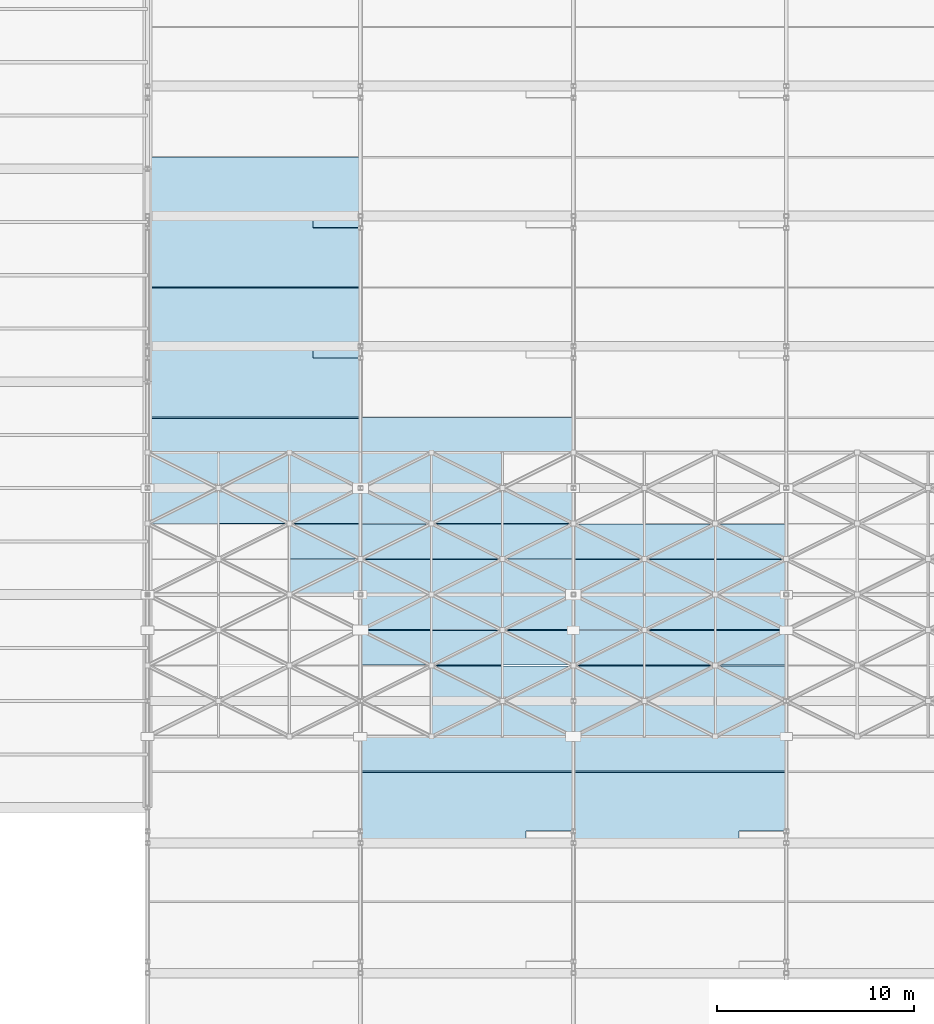
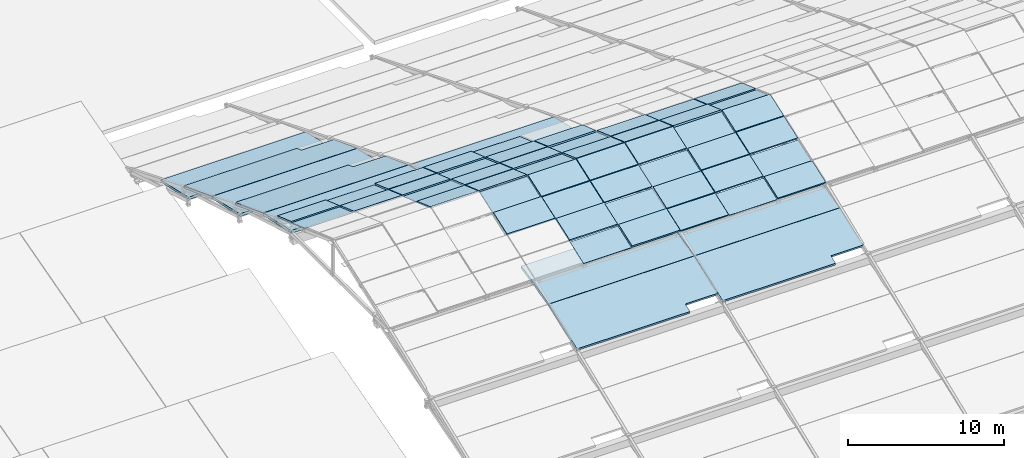
# One storey, part 98 of 112: 47 plates, 10 slabs, 3 elements without a shape of their own.
"""IFC4 building model written with IfcOpenShell, lengths in metres."""

from ifc_helpers import new_model, si_unit, direction, frame, origin, place, context, subcontext, project, spatial, polyline, outline, extrude, material, layer, layer_set, type_object, element, aggregate, save


model = new_model("IFC4")

# Units and contexts
model_context = context("Model", 3, precision=1e-05, world=origin(), true_north=direction((0.0, 1.0)))
body_context = subcontext(model_context, "Body", "Model", "MODEL_VIEW")
ifc_project = project(units=[si_unit("LENGTHUNIT", "METRE"), si_unit("AREAUNIT", "SQUARE_METRE"), si_unit("VOLUMEUNIT", "CUBIC_METRE"), si_unit("PLANEANGLEUNIT", "RADIAN"), si_unit("MASSUNIT", "GRAM", prefix="KILO")], contexts=[model_context])

# Site, building, storey
site_placement = place(None, origin())
site = spatial("IfcSite", under=ifc_project, at=site_placement, CompositionType="ELEMENT")
building_placement = place(site_placement, origin())
building = spatial("IfcBuilding", under=site, at=building_placement, Name="Zwinboog Wholesale Market", CompositionType="ELEMENT")
storey_placement = place(building_placement, frame((0.0, 0.0, 19.080078125)))
storey = spatial("IfcBuildingStorey", under=building, at=storey_placement, Name="Roof", CompositionType="ELEMENT", Elevation=19.080078125)

# Roof, slabs
ifc_material_1 = material(Name="Concrete C50/60", Category="concrete")
roof_type = type_object("IfcRoofType", Name="RFT-SHELL-BARREL", PredefinedType="BARREL_ROOF", material=ifc_material_1)
roof_1_placement = place(storey_placement, origin())
roof_1 = element("IfcRoof", 1, at=roof_1_placement, inside=storey, type_object=roof_type, Name="RF-SH (ROOF-BARREL-01)", PredefinedType="BARREL_ROOF")
ifc_layer_1 = layer(ifc_material_1, 0.172119140625)
ifc_layer_set_1 = layer_set([ifc_layer_1], Name="Concrete C50/60")
slab_type_1 = type_object("IfcSlabType", Name="SLT-SH-172", PredefinedType="ROOF", material=ifc_layer_set_1)
slab_1_placement = place(storey_placement, frame((64.81005859375, 94.2099609375, -4.630126953125), z_axis=(0.0, 0.219360206869, 0.975643941017), x_axis=(1.0, 0.0, 0.0)))
slab_1 = element("IfcSlab", 2, at=slab_1_placement, type_object=slab_type_1, Name="SH-172 (SLB-SH-NT2-B01-2)", PredefinedType="ROOF", context=body_context, shape_type="SweptSolid", body=[
    extrude(outline(polyline([(0.0, 0.0), (10.780029296875, 0.0), (10.780029296875, 3.669451502225199), (0.0, 3.669451502225199), (0.0, 0.0)])), origin(), (0.0, 0.0, -1.0), 0.172119140625),
])
ifc_layer_2 = layer(ifc_material_1, 0.18603515625)
ifc_layer_set_2 = layer_set([ifc_layer_2], Name="Concrete C50/60")
slab_type_2 = type_object("IfcSlabType", Name="SLT-SH-186", PredefinedType="ROOF", material=ifc_layer_set_2)
slab_2_placement = place(storey_placement, frame((64.81005859375, 91.2099609375, -2.735107421875), z_axis=(4.693168e-06, 0.35168856816, 0.936117060524), x_axis=(0.999999999989, -1.650534e-06, -4.393355e-06)))
slab_2 = element("IfcSlab", 3, at=slab_2_placement, type_object=slab_type_2, Name="SH-186 (SLB-SH-NT3-B01-1)", PredefinedType="ROOF", context=body_context, shape_type="SweptSolid", body=[
    extrude(outline(polyline([(0.0, 0.0), (10.78002929675628, 2.2827599967049336e-21), (10.780029297125427, 3.1833712437689723), (8.37988281277686, 3.1833712437689723), (8.379882812301984, 3.8243830316615175), (-1.0573042088097136e-10, 3.8243830316615175), (0.0, 0.0)])), origin(), (0.0, 0.0, -1.0), 0.18603515625),
])
slab_3_placement = place(storey_placement, frame((64.81005859375, 87.610107421875, -1.93017578125), z_axis=(0.0, 0.219374447053, 0.975640739197), x_axis=(1.0, 0.0, 0.0)))
slab_3 = element("IfcSlab", 4, at=slab_3_placement, type_object=slab_type_2, Name="SH-186 (SLB-SH-NT3-B01-2)", PredefinedType="ROOF", context=body_context, shape_type="SweptSolid", body=[
    extrude(outline(polyline([(0.0, 0.0), (10.780029296875, 0.0), (10.780029296875, 3.6692133082944967), (0.0, 3.6692133082944967), (0.0, 0.0)])), origin(), (0.0, 0.0, -1.0), 0.18603515625),
])
ifc_layer_3 = layer(ifc_material_1, 0.201904296875)
ifc_layer_set_3 = layer_set([ifc_layer_3], Name="Concrete C50/60")
slab_type_3 = type_object("IfcSlabType", Name="SLT-SH-202", PredefinedType="ROOF", material=ifc_layer_set_3)
slab_4_placement = place(storey_placement, frame((64.81005859375, 84.610107421875, -0.03515625), z_axis=(1.249569e-06, 0.351705539728, 0.936110684334), x_axis=(0.999999999999, -4.3948e-07, -1.169735e-06)))
slab_4 = element("IfcSlab", 5, at=slab_4_placement, type_object=slab_type_3, Name="SH-202 (SLB-SH-NT4-B01-1)", PredefinedType="ROOF", context=body_context, shape_type="SweptSolid", body=[
    extrude(outline(polyline([(0.0, 0.0), (10.780029296866584, 0.0), (10.780029296892753, 3.183371244671827), (8.379882812519627, 3.183371244671827), (8.379882812485961, 3.824154487977018), (-7.495290763518035e-12, 3.824154487977018), (0.0, 0.0)])), origin(), (0.0, 0.0, -1.0), 0.201904296875),
])
slab_5_placement = place(storey_placement, frame((64.81005859375, 81.010009765625, 0.77001953125), z_axis=(0.0, 0.219423537249, 0.975629699887), x_axis=(1.0, 0.0, 0.0)))
slab_5 = element("IfcSlab", 6, at=slab_5_placement, type_object=slab_type_3, Name="SH-202 (SLB-SH-NT4-B01-2)", PredefinedType="ROOF", context=body_context, shape_type="SweptSolid", body=[
    extrude(outline(polyline([(0.0, 0.0), (10.780029296875, 0.0), (10.780029296875, 3.66950506469402), (0.0, 3.66950506469402), (0.0, 0.0)])), origin(), (0.0, 0.0, -1.0), 0.201904296875),
])
aggregate(roof_1, [slab_1, slab_2, slab_3, slab_4, slab_5])

roof_2_placement = place(storey_placement, origin())
roof_2 = element("IfcRoof", 7, at=roof_2_placement, inside=storey, type_object=roof_type, Name="RF-SH (ROOF-BARREL-02)", PredefinedType="BARREL_ROOF")
slab_6_placement = place(storey_placement, frame((75.610107421875, 63.010009765625, -1.380126953125), z_axis=(4.69326e-06, -0.351688567707, 0.936117060694), x_axis=(0.999999999989, 1.650566e-06, -4.393441e-06)))
slab_6 = element("IfcSlab", 8, at=slab_6_placement, type_object=slab_type_3, Name="SH-202 (SLB-SH-ST4-B02-1)", PredefinedType="ROOF", context=body_context, shape_type="SweptSolid", body=[
    extrude(outline(polyline([(0.0, 0.0), (8.37988281240771, 0.0), (8.379882812882595, 0.6410117878925938), (10.779785156606165, 0.6410117878925938), (10.779785156237002, 3.824383031661528), (1.0572380666834866e-10, 3.824383031661528), (0.0, 0.0)])), origin(), (0.0, 0.0, -1.0), 0.201904296875),
])
slab_7_placement = place(storey_placement, frame((75.610107421875, 66.610107421875, -0.03515625), z_axis=(0.0, -0.219437781128, 0.975626496265), x_axis=(1.0, 0.0, 0.0)))
slab_7 = element("IfcSlab", 9, at=slab_7_placement, type_object=slab_type_3, Name="SH-202 (SLB-SH-ST4-B02-2)", PredefinedType="ROOF", context=body_context, shape_type="SweptSolid", body=[
    extrude(outline(polyline([(0.0, 0.0), (10.77978515625, 0.0), (10.77978515625, 3.669266874240375), (0.0, 3.669266874240375), (0.0, 0.0)])), origin(), (0.0, 0.0, -1.0), 0.201904296875),
])
slab_8_placement = place(storey_placement, frame((75.610107421875, 81.010009765625, 0.77001953125), z_axis=(0.0, 0.219423537249, 0.975629699887), x_axis=(1.0, 0.0, 0.0)))
slab_8 = element("IfcSlab", 10, at=slab_8_placement, type_object=slab_type_3, Name="SH-202 (SLB-SH-NT4-B02-2)", PredefinedType="ROOF", context=body_context, shape_type="SweptSolid", body=[
    extrude(outline(polyline([(0.0, 0.0), (10.77978515625, 0.0), (10.77978515625, 3.66950506469402), (0.0, 3.66950506469402), (0.0, 0.0)])), origin(), (0.0, 0.0, -1.0), 0.201904296875),
])
aggregate(roof_2, [slab_6, slab_7, slab_8])

roof_3_placement = place(storey_placement, origin())
roof_3 = element("IfcRoof", 11, at=roof_3_placement, inside=storey, type_object=roof_type, Name="RF-SH (ROOF-BARREL-03)", PredefinedType="BARREL_ROOF")
slab_9_placement = place(storey_placement, frame((86.409912109375, 63.010009765625, -1.380126953125), z_axis=(4.69315e-06, -0.351688567577, 0.936117060743), x_axis=(0.999999999989, 1.650527e-06, -4.393337e-06)))
slab_9 = element("IfcSlab", 12, at=slab_9_placement, type_object=slab_type_3, Name="SH-202 (SLB-SH-ST4-B03-1)", PredefinedType="ROOF", context=body_context, shape_type="SweptSolid", body=[
    extrude(outline(polyline([(0.0, 0.0), (8.380126953032711, -1.774560907867667e-21), (8.380126953507585, 0.6410117878926078), (10.780029297231154, 0.6410117878926078), (10.780029296861999, 3.824383031661531), (1.0571883235301646e-10, 3.824383031661531), (0.0, 0.0)])), origin(), (0.0, 0.0, -1.0), 0.201904296875),
])
slab_10_placement = place(storey_placement, frame((86.409912109375, 66.610107421875, -0.03515625), z_axis=(0.0, -0.219437781128, 0.975626496265), x_axis=(1.0, 0.0, 0.0)))
slab_10 = element("IfcSlab", 13, at=slab_10_placement, type_object=slab_type_3, Name="SH-202 (SLB-SH-ST4-B03-2)", PredefinedType="ROOF", context=body_context, shape_type="SweptSolid", body=[
    extrude(outline(polyline([(0.0, 0.0), (10.780029296875, 0.0), (10.780029296875, 3.669266874240375), (0.0, 3.669266874240375), (0.0, 0.0)])), origin(), (0.0, 0.0, -1.0), 0.201904296875),
])
aggregate(roof_3, [slab_9, slab_10])

# Plates
ifc_material_2 = material(Name="Blue solar control glass", Category="glass")
ifc_layer_4 = layer(ifc_material_2, 0.030029296875)
ifc_layer_set_4 = layer_set([ifc_layer_4], Name="Blue solar control glass")
plate_type_1 = type_object("IfcPlateType", Name="PLT-SKG-01", PredefinedType="SHEET", material=ifc_layer_set_4)
for number, where, z_axis, x_axis, name in (
    (14, (64.820068359375, 79.219970703125, 2.017822265625), (0.0, 0.333825357548, 0.942634940291), (1.0, 0.0, 0.0), "SKG-01 (PLT-SKY-0010)"),
    (15, (75.6201171875, 73.820068359375, 2.66943359375), (0.0, -0.333825357548, 0.942634940291), (1.0, 0.0, 0.0), "SKG-01 (PLT-SKY-0034)"),
    (16, (82.820068359375, 70.219970703125, 1.39453125), (0.0, -0.333825357548, 0.942634940291), (1.0, 0.0, 0.0), "SKG-01 (PLT-SKY-0050)"),
):
    element("IfcPlate", number, at=place(storey_placement, frame(where, z_axis=z_axis, x_axis=x_axis)), inside=storey, type_object=plate_type_1, Name=name, PredefinedType="SHEET", context=body_context, shape_type="SweptSolid", body=[
        extrude(outline(polyline([(0.0, 0.0), (3.559814453125, 0.0), (3.559814453125, 1.8671170464794682), (0.0, 1.8671170464794682), (0.0, 0.0)])), origin(), (0.0, 0.0, -1.0), 0.030029296875),
    ])
plate_1_placement = place(storey_placement, frame((93.6201171875, 75.6201171875, 3.292724609375), z_axis=(0.0, 0.333866508657, 0.942620366), x_axis=(1.0, 0.0, 0.0)))
element("IfcPlate", 17, at=plate_1_placement, inside=storey, type_object=plate_type_1, Name="SKG-01 (PLT-SKY-0081)", PredefinedType="SHEET", context=body_context, shape_type="SweptSolid", body=[
    extrude(outline(polyline([(0.0, 0.0), (3.559814453125, 0.0), (3.559814453125, 1.866886912774977), (0.0, 1.866886912774977), (0.0, 0.0)])), origin(), (0.0, 0.0, -1.0), 0.030029296875),
])
ifc_layer_5 = layer(ifc_material_2, 0.033935546875)
ifc_layer_set_5 = layer_set([ifc_layer_5], Name="Blue solar control glass")
plate_type_2 = type_object("IfcPlateType", Name="PLT-SKG-02", PredefinedType="SHEET", material=ifc_layer_set_5)
for number, where, z_axis, x_axis, name in (
    (18, (72.02001953125, 77.419921875, 2.659423828125), (0.0, 0.333825357548, 0.942634940291), (1.0, 0.0, 0.0), "SKG-02 (PLT-SKY-0026)"),
    (19, (90.02001953125, 68.419921875, 0.760986328125), (0.0, -0.333825357548, 0.942634940291), (1.0, 0.0, 0.0), "SKG-02 (PLT-SKY-0069)"),
):
    element("IfcPlate", number, at=place(storey_placement, frame(where, z_axis=z_axis, x_axis=x_axis)), inside=storey, type_object=plate_type_2, Name=name, PredefinedType="SHEET", context=body_context, shape_type="SweptSolid", body=[
        extrude(outline(polyline([(0.0, 0.0), (3.56005859375, 0.0), (3.56005859375, 1.8671170464794682), (0.0, 1.8671170464794682), (0.0, 0.0)])), origin(), (0.0, 0.0, -1.0), 0.033935546875),
    ])
ifc_layer_6 = layer(ifc_material_2, 0.0380859375)
ifc_layer_set_6 = layer_set([ifc_layer_6], Name="Blue solar control glass")
plate_type_3 = type_object("IfcPlateType", Name="PLT-SKG-03", PredefinedType="SHEET", material=ifc_layer_set_6)
plate_2_placement = place(storey_placement, frame((68.419921875, 81.02001953125, 1.388427734375), z_axis=(0.0, 0.333825357548, 0.942634940291), x_axis=(1.0, 0.0, 0.0)))
element("IfcPlate", 20, at=plate_2_placement, inside=storey, type_object=plate_type_3, Name="SKG-03 (PLT-SKY-0020)", PredefinedType="SHEET", context=body_context, shape_type="SweptSolid", body=[
    extrude(outline(polyline([(0.0, 0.0), (3.56005859375, 0.0), (3.56005859375, 1.8671170464794682), (0.0, 1.8671170464794682), (0.0, 0.0)])), origin(), (0.0, 0.0, -1.0), 0.0380859375),
])
plate_3_placement = place(storey_placement, frame((79.219970703125, 75.6201171875, 3.30078125), z_axis=(0.0, 0.333866508657, 0.942620366), x_axis=(1.0, 0.0, 0.0)))
element("IfcPlate", 21, at=plate_3_placement, inside=storey, type_object=plate_type_3, Name="SKG-03 (PLT-SKY-0045)", PredefinedType="SHEET", context=body_context, shape_type="SweptSolid", body=[
    extrude(outline(polyline([(0.0, 0.0), (3.56005859375, 0.0), (3.56005859375, 1.866886912774977), (0.0, 1.866886912774977), (0.0, 0.0)])), origin(), (0.0, 0.0, -1.0), 0.0380859375),
])
plate_4_placement = place(storey_placement, frame((86.419921875, 72.02001953125, 2.0400390625), z_axis=(0.0, -0.333825357548, 0.942634940291), x_axis=(1.0, 0.0, 0.0)))
element("IfcPlate", 22, at=plate_4_placement, inside=storey, type_object=plate_type_3, Name="SKG-03 (PLT-SKY-0060)", PredefinedType="SHEET", context=body_context, shape_type="SweptSolid", body=[
    extrude(outline(polyline([(0.0, 0.0), (3.56005859375, 0.0), (3.56005859375, 1.8671170464794682), (0.0, 1.8671170464794682), (0.0, 0.0)])), origin(), (0.0, 0.0, -1.0), 0.0380859375),
])
ifc_layer_7 = layer(ifc_material_2, 0.0419921875)
ifc_layer_set_7 = layer_set([ifc_layer_7], Name="Blue solar control glass")
plate_type_4 = type_object("IfcPlateType", Name="PLT-SKG-04", PredefinedType="SHEET", material=ifc_layer_set_7)
for number, where, z_axis, x_axis, name in (
    (23, (75.6201171875, 79.219970703125, 2.02978515625), (0.0, 0.333825357548, 0.942634940291), (1.0, 0.0, 0.0), "SKG-04 (PLT-SKY-0038)"),
    (24, (93.6201171875, 70.219970703125, 1.406494140625), (0.0, -0.333825357548, 0.942634940291), (1.0, 0.0, 0.0), "SKG-04 (PLT-SKY-0078)"),
):
    element("IfcPlate", number, at=place(storey_placement, frame(where, z_axis=z_axis, x_axis=x_axis)), inside=storey, type_object=plate_type_4, Name=name, PredefinedType="SHEET", context=body_context, shape_type="SweptSolid", body=[
        extrude(outline(polyline([(0.0, 0.0), (3.559814453125, 0.0), (3.559814453125, 1.8671170464794682), (0.0, 1.8671170464794682), (0.0, 0.0)])), origin(), (0.0, 0.0, -1.0), 0.0419921875),
    ])
ifc_layer_8 = layer(ifc_material_2, 0.0458984375)
ifc_layer_set_8 = layer_set([ifc_layer_8], Name="Blue solar control glass")
plate_type_5 = type_object("IfcPlateType", Name="PLT-SKG-05", PredefinedType="SHEET", material=ifc_layer_set_8)
plate_5_placement = place(storey_placement, frame((79.219970703125, 68.419921875, 0.77294921875), z_axis=(0.0, -0.333825357548, 0.942634940291), x_axis=(1.0, 0.0, 0.0)))
element("IfcPlate", 25, at=plate_5_placement, inside=storey, type_object=plate_type_5, Name="SKG-05 (PLT-SKY-0041)", PredefinedType="SHEET", context=body_context, shape_type="SweptSolid", body=[
    extrude(outline(polyline([(0.0, 0.0), (3.56005859375, 0.0), (3.56005859375, 1.8671170464794682), (0.0, 1.8671170464794682), (0.0, 0.0)])), origin(), (0.0, 0.0, -1.0), 0.0458984375),
])
plate_6_placement = place(storey_placement, frame((82.820068359375, 77.419921875, 2.67138671875), z_axis=(0.0, 0.333825357548, 0.942634940291), x_axis=(1.0, 0.0, 0.0)))
element("IfcPlate", 26, at=plate_6_placement, inside=storey, type_object=plate_type_5, Name="SKG-05 (PLT-SKY-0054)", PredefinedType="SHEET", context=body_context, shape_type="SweptSolid", body=[
    extrude(outline(polyline([(0.0, 0.0), (3.559814453125, 0.0), (3.559814453125, 1.8671170464794682), (0.0, 1.8671170464794682), (0.0, 0.0)])), origin(), (0.0, 0.0, -1.0), 0.0458984375),
])
plate_7_placement = place(storey_placement, frame((90.02001953125, 73.820068359375, 2.685546875), z_axis=(0.0, -0.333825357548, 0.942634940291), x_axis=(1.0, 0.0, 0.0)))
element("IfcPlate", 27, at=plate_7_placement, inside=storey, type_object=plate_type_5, Name="SKG-05 (PLT-SKY-0072)", PredefinedType="SHEET", context=body_context, shape_type="SweptSolid", body=[
    extrude(outline(polyline([(0.0, 0.0), (3.56005859375, 0.0), (3.56005859375, 1.8671170464794682), (0.0, 1.8671170464794682), (0.0, 0.0)])), origin(), (0.0, 0.0, -1.0), 0.0458984375),
])
ifc_layer_9 = layer(ifc_material_2, 0.050048828125)
ifc_layer_set_9 = layer_set([ifc_layer_9], Name="Blue solar control glass")
plate_type_6 = type_object("IfcPlateType", Name="PLT-SKG-06", PredefinedType="SHEET", material=ifc_layer_set_9)
plate_8_placement = place(storey_placement, frame((79.219970703125, 81.02001953125, 1.400390625), z_axis=(0.0, 0.333825357548, 0.942634940291), x_axis=(1.0, 0.0, 0.0)))
element("IfcPlate", 28, at=plate_8_placement, inside=storey, type_object=plate_type_6, Name="SKG-06 (PLT-SKY-0048)", PredefinedType="SHEET", context=body_context, shape_type="SweptSolid", body=[
    extrude(outline(polyline([(0.0, 0.0), (3.56005859375, 0.0), (3.56005859375, 1.8671170464794682), (0.0, 1.8671170464794682), (0.0, 0.0)])), origin(), (0.0, 0.0, -1.0), 0.050048828125),
])
ifc_material_3 = material(Name="White insulated aluminium roof panel", Category="aluminium")
ifc_layer_10 = layer(ifc_material_3, 0.110107421875)
ifc_layer_set_10 = layer_set([ifc_layer_10], Name="White insulated aluminium roof panel")
plate_type_7 = type_object("IfcPlateType", Name="PLT-SKW-01", PredefinedType="USERDEFINED", material=ifc_layer_set_10)
plate_9_placement = place(storey_placement, frame((72.02001953125, 75.6201171875, 3.372802734375), z_axis=(0.0, 0.333866508657, 0.942620366), x_axis=(1.0, 0.0, 0.0)))
element("IfcPlate", 29, at=plate_9_placement, inside=storey, type_object=plate_type_7, Name="SKW-01 (PLT-SKY-0025)", ObjectType="INSULATED_ROOF_PANEL", PredefinedType="USERDEFINED", context=body_context, shape_type="SweptSolid", body=[
    extrude(outline(polyline([(0.0, 0.0), (3.56005859375, 0.0), (3.56005859375, 1.866886912774977), (0.0, 1.866886912774977), (0.0, 0.0)])), origin(), (0.0, 0.0, -1.0), 0.110107421875),
])
for number, where, z_axis, x_axis, name in (
    (30, (79.219970703125, 72.02001953125, 2.112060546875), (0.0, -0.333825357548, 0.942634940291), (1.0, 0.0, 0.0), "SKW-01 (PLT-SKY-0043)"),
    (31, (86.419921875, 68.419921875, 0.8369140625), (0.0, -0.333825357548, 0.942634940291), (1.0, 0.0, 0.0), "SKW-01 (PLT-SKY-0058)"),
    (32, (90.02001953125, 77.419921875, 2.7353515625), (0.0, 0.333825357548, 0.942634940291), (1.0, 0.0, 0.0), "SKW-01 (PLT-SKY-0074)"),
):
    element("IfcPlate", number, at=place(storey_placement, frame(where, z_axis=z_axis, x_axis=x_axis)), inside=storey, type_object=plate_type_7, Name=name, ObjectType="INSULATED_ROOF_PANEL", PredefinedType="USERDEFINED", context=body_context, shape_type="SweptSolid", body=[
        extrude(outline(polyline([(0.0, 0.0), (3.56005859375, 0.0), (3.56005859375, 1.8671170464794682), (0.0, 1.8671170464794682), (0.0, 0.0)])), origin(), (0.0, 0.0, -1.0), 0.110107421875),
    ])
ifc_layer_11 = layer(ifc_material_3, 0.1201171875)
ifc_layer_set_11 = layer_set([ifc_layer_11], Name="White insulated aluminium roof panel")
plate_type_8 = type_object("IfcPlateType", Name="PLT-SKW-02", PredefinedType="USERDEFINED", material=ifc_layer_set_11)
plate_10_placement = place(storey_placement, frame((64.820068359375, 81.02001953125, 1.47021484375), z_axis=(0.0, 0.333825357548, 0.942634940291), x_axis=(1.0, 0.0, 0.0)))
element("IfcPlate", 33, at=plate_10_placement, inside=storey, type_object=plate_type_8, Name="SKW-02 (PLT-SKY-0012)", ObjectType="INSULATED_ROOF_PANEL", PredefinedType="USERDEFINED", context=body_context, shape_type="SweptSolid", body=[
    extrude(outline(polyline([(0.0, 0.0), (3.559814453125, 0.0), (3.559814453125, 1.8671170464794682), (0.0, 1.8671170464794682), (0.0, 0.0)])), origin(), (0.0, 0.0, -1.0), 0.1201171875),
])
plate_11_placement = place(storey_placement, frame((68.419921875, 79.219970703125, 2.10791015625), z_axis=(0.0, 0.333825357548, 0.942634940291), x_axis=(1.0, 0.0, 0.0)))
element("IfcPlate", 34, at=plate_11_placement, inside=storey, type_object=plate_type_8, Name="SKW-02 (PLT-SKY-0019)", ObjectType="INSULATED_ROOF_PANEL", PredefinedType="USERDEFINED", context=body_context, shape_type="SweptSolid", body=[
    extrude(outline(polyline([(0.0, 0.0), (3.56005859375, 0.0), (3.56005859375, 1.8671170464794682), (0.0, 1.8671170464794682), (0.0, 0.0)])), origin(), (0.0, 0.0, -1.0), 0.1201171875),
])
plate_12_placement = place(storey_placement, frame((75.6201171875, 75.6201171875, 3.3828125), z_axis=(0.0, 0.333866508657, 0.942620366), x_axis=(1.0, 0.0, 0.0)))
element("IfcPlate", 35, at=plate_12_placement, inside=storey, type_object=plate_type_8, Name="SKW-02 (PLT-SKY-0036)", ObjectType="INSULATED_ROOF_PANEL", PredefinedType="USERDEFINED", context=body_context, shape_type="SweptSolid", body=[
    extrude(outline(polyline([(0.0, 0.0), (3.559814453125, 0.0), (3.559814453125, 1.866886912774977), (0.0, 1.866886912774977), (0.0, 0.0)])), origin(), (0.0, 0.0, -1.0), 0.1201171875),
])
plate_13_placement = place(storey_placement, frame((79.219970703125, 73.820068359375, 2.759521484375), z_axis=(0.0, -0.333825357548, 0.942634940291), x_axis=(1.0, 0.0, 0.0)))
element("IfcPlate", 36, at=plate_13_placement, inside=storey, type_object=plate_type_8, Name="SKW-02 (PLT-SKY-0044)", ObjectType="INSULATED_ROOF_PANEL", PredefinedType="USERDEFINED", context=body_context, shape_type="SweptSolid", body=[
    extrude(outline(polyline([(0.0, 0.0), (3.56005859375, 0.0), (3.56005859375, 1.8671170464794682), (0.0, 1.8671170464794682), (0.0, 0.0)])), origin(), (0.0, 0.0, -1.0), 0.1201171875),
])
plate_14_placement = place(storey_placement, frame((82.820068359375, 72.02001953125, 2.1220703125), z_axis=(0.0, -0.333825357548, 0.942634940291), x_axis=(1.0, 0.0, 0.0)))
element("IfcPlate", 37, at=plate_14_placement, inside=storey, type_object=plate_type_8, Name="SKW-02 (PLT-SKY-0051)", ObjectType="INSULATED_ROOF_PANEL", PredefinedType="USERDEFINED", context=body_context, shape_type="SweptSolid", body=[
    extrude(outline(polyline([(0.0, 0.0), (3.559814453125, 0.0), (3.559814453125, 1.8671170464794682), (0.0, 1.8671170464794682), (0.0, 0.0)])), origin(), (0.0, 0.0, -1.0), 0.1201171875),
])
plate_15_placement = place(storey_placement, frame((86.419921875, 70.219970703125, 1.484619140625), z_axis=(0.0, -0.333825357548, 0.942634940291), x_axis=(1.0, 0.0, 0.0)))
element("IfcPlate", 38, at=plate_15_placement, inside=storey, type_object=plate_type_8, Name="SKW-02 (PLT-SKY-0059)", ObjectType="INSULATED_ROOF_PANEL", PredefinedType="USERDEFINED", context=body_context, shape_type="SweptSolid", body=[
    extrude(outline(polyline([(0.0, 0.0), (3.56005859375, 0.0), (3.56005859375, 1.8671170464794682), (0.0, 1.8671170464794682), (0.0, 0.0)])), origin(), (0.0, 0.0, -1.0), 0.1201171875),
])
plate_16_placement = place(storey_placement, frame((93.6201171875, 77.419921875, 2.745361328125), z_axis=(0.0, 0.333825357548, 0.942634940291), x_axis=(1.0, 0.0, 0.0)))
element("IfcPlate", 39, at=plate_16_placement, inside=storey, type_object=plate_type_8, Name="SKW-02 (PLT-SKY-0082)", ObjectType="INSULATED_ROOF_PANEL", PredefinedType="USERDEFINED", context=body_context, shape_type="SweptSolid", body=[
    extrude(outline(polyline([(0.0, 0.0), (3.559814453125, 0.0), (3.559814453125, 1.8671170464794682), (0.0, 1.8671170464794682), (0.0, 0.0)])), origin(), (0.0, 0.0, -1.0), 0.1201171875),
])
ifc_layer_12 = layer(ifc_material_3, 0.1298828125)
ifc_layer_set_12 = layer_set([ifc_layer_12], Name="White insulated aluminium roof panel")
plate_type_9 = type_object("IfcPlateType", Name="PLT-SKW-03", PredefinedType="USERDEFINED", material=ifc_layer_set_12)
plate_17_placement = place(storey_placement, frame((72.02001953125, 79.219970703125, 2.117919921875), z_axis=(0.0, 0.333825357548, 0.942634940291), x_axis=(1.0, 0.0, 0.0)))
element("IfcPlate", 40, at=plate_17_placement, inside=storey, type_object=plate_type_9, Name="SKW-03 (PLT-SKY-0027)", ObjectType="INSULATED_ROOF_PANEL", PredefinedType="USERDEFINED", context=body_context, shape_type="SweptSolid", body=[
    extrude(outline(polyline([(0.0, 0.0), (3.56005859375, 0.0), (3.56005859375, 1.8671170464794682), (0.0, 1.8671170464794682), (0.0, 0.0)])), origin(), (0.0, 0.0, -1.0), 0.1298828125),
])
for number, where, z_axis, x_axis, name in (
    (41, (75.6201171875, 77.419921875, 2.75537109375), (0.0, 0.333825357548, 0.942634940291), (1.0, 0.0, 0.0), "SKW-03 (PLT-SKY-0037)"),
    (42, (82.820068359375, 73.820068359375, 2.76953125), (0.0, -0.333825357548, 0.942634940291), (1.0, 0.0, 0.0), "SKW-03 (PLT-SKY-0052)"),
):
    element("IfcPlate", number, at=place(storey_placement, frame(where, z_axis=z_axis, x_axis=x_axis)), inside=storey, type_object=plate_type_9, Name=name, ObjectType="INSULATED_ROOF_PANEL", PredefinedType="USERDEFINED", context=body_context, shape_type="SweptSolid", body=[
        extrude(outline(polyline([(0.0, 0.0), (3.559814453125, 0.0), (3.559814453125, 1.8671170464794682), (0.0, 1.8671170464794682), (0.0, 0.0)])), origin(), (0.0, 0.0, -1.0), 0.1298828125),
    ])
plate_18_placement = place(storey_placement, frame((90.02001953125, 70.219970703125, 1.49462890625), z_axis=(0.0, -0.333825357548, 0.942634940291), x_axis=(1.0, 0.0, 0.0)))
element("IfcPlate", 43, at=plate_18_placement, inside=storey, type_object=plate_type_9, Name="SKW-03 (PLT-SKY-0070)", ObjectType="INSULATED_ROOF_PANEL", PredefinedType="USERDEFINED", context=body_context, shape_type="SweptSolid", body=[
    extrude(outline(polyline([(0.0, 0.0), (3.56005859375, 0.0), (3.56005859375, 1.8671170464794682), (0.0, 1.8671170464794682), (0.0, 0.0)])), origin(), (0.0, 0.0, -1.0), 0.1298828125),
])
plate_19_placement = place(storey_placement, frame((93.6201171875, 68.419921875, 0.85693359375), z_axis=(0.0, -0.333825357548, 0.942634940291), x_axis=(1.0, 0.0, 0.0)))
element("IfcPlate", 44, at=plate_19_placement, inside=storey, type_object=plate_type_9, Name="SKW-03 (PLT-SKY-0077)", ObjectType="INSULATED_ROOF_PANEL", PredefinedType="USERDEFINED", context=body_context, shape_type="SweptSolid", body=[
    extrude(outline(polyline([(0.0, 0.0), (3.559814453125, 0.0), (3.559814453125, 1.8671170464794682), (0.0, 1.8671170464794682), (0.0, 0.0)])), origin(), (0.0, 0.0, -1.0), 0.1298828125),
])
ifc_layer_13 = layer(ifc_material_3, 0.139892578125)
ifc_layer_set_13 = layer_set([ifc_layer_13], Name="White insulated aluminium roof panel")
plate_type_10 = type_object("IfcPlateType", Name="PLT-SKW-04", PredefinedType="USERDEFINED", material=ifc_layer_set_13)
for number, where, z_axis, x_axis, name in (
    (45, (72.02001953125, 81.02001953125, 1.490234375), (0.0, 0.333825357548, 0.942634940291), (1.0, 0.0, 0.0), "SKW-04 (PLT-SKY-0028)"),
    (46, (79.219970703125, 77.419921875, 2.765380859375), (0.0, 0.333825357548, 0.942634940291), (1.0, 0.0, 0.0), "SKW-04 (PLT-SKY-0046)"),
):
    element("IfcPlate", number, at=place(storey_placement, frame(where, z_axis=z_axis, x_axis=x_axis)), inside=storey, type_object=plate_type_10, Name=name, ObjectType="INSULATED_ROOF_PANEL", PredefinedType="USERDEFINED", context=body_context, shape_type="SweptSolid", body=[
        extrude(outline(polyline([(0.0, 0.0), (3.56005859375, 0.0), (3.56005859375, 1.8671170464794682), (0.0, 1.8671170464794682), (0.0, 0.0)])), origin(), (0.0, 0.0, -1.0), 0.139892578125),
    ])
plate_20_placement = place(storey_placement, frame((82.820068359375, 75.6201171875, 3.40283203125), z_axis=(0.0, 0.333866508657, 0.942620366), x_axis=(1.0, 0.0, 0.0)))
element("IfcPlate", 47, at=plate_20_placement, inside=storey, type_object=plate_type_10, Name="SKW-04 (PLT-SKY-0053)", ObjectType="INSULATED_ROOF_PANEL", PredefinedType="USERDEFINED", context=body_context, shape_type="SweptSolid", body=[
    extrude(outline(polyline([(0.0, 0.0), (3.559814453125, 0.0), (3.559814453125, 1.866886912774977), (0.0, 1.866886912774977), (0.0, 0.0)])), origin(), (0.0, 0.0, -1.0), 0.139892578125),
])
for number, where, z_axis, x_axis, name in (
    (48, (86.419921875, 73.820068359375, 2.779541015625), (0.0, -0.333825357548, 0.942634940291), (1.0, 0.0, 0.0), "SKW-04 (PLT-SKY-0062)"),
    (49, (90.02001953125, 72.02001953125, 2.14208984375), (0.0, -0.333825357548, 0.942634940291), (1.0, 0.0, 0.0), "SKW-04 (PLT-SKY-0071)"),
):
    element("IfcPlate", number, at=place(storey_placement, frame(where, z_axis=z_axis, x_axis=x_axis)), inside=storey, type_object=plate_type_10, Name=name, ObjectType="INSULATED_ROOF_PANEL", PredefinedType="USERDEFINED", context=body_context, shape_type="SweptSolid", body=[
        extrude(outline(polyline([(0.0, 0.0), (3.56005859375, 0.0), (3.56005859375, 1.8671170464794682), (0.0, 1.8671170464794682), (0.0, 0.0)])), origin(), (0.0, 0.0, -1.0), 0.139892578125),
    ])
ifc_layer_14 = layer(ifc_material_3, 0.14990234375)
ifc_layer_set_14 = layer_set([ifc_layer_14], Name="White insulated aluminium roof panel")
plate_type_11 = type_object("IfcPlateType", Name="PLT-SKW-05", PredefinedType="USERDEFINED", material=ifc_layer_set_14)
plate_21_placement = place(storey_placement, frame((75.6201171875, 81.02001953125, 1.500244140625), z_axis=(0.0, 0.333825357548, 0.942634940291), x_axis=(1.0, 0.0, 0.0)))
element("IfcPlate", 50, at=plate_21_placement, inside=storey, type_object=plate_type_11, Name="SKW-05 (PLT-SKY-0040)", ObjectType="INSULATED_ROOF_PANEL", PredefinedType="USERDEFINED", context=body_context, shape_type="SweptSolid", body=[
    extrude(outline(polyline([(0.0, 0.0), (3.559814453125, 0.0), (3.559814453125, 1.8671170464794682), (0.0, 1.8671170464794682), (0.0, 0.0)])), origin(), (0.0, 0.0, -1.0), 0.14990234375),
])
plate_22_placement = place(storey_placement, frame((79.219970703125, 79.219970703125, 2.137939453125), z_axis=(0.0, 0.333941536415, 0.942593788573), x_axis=(1.0, 0.0, 0.0)))
element("IfcPlate", 51, at=plate_22_placement, inside=storey, type_object=plate_type_11, Name="SKW-05 (PLT-SKY-0047)", ObjectType="INSULATED_ROOF_PANEL", PredefinedType="USERDEFINED", context=body_context, shape_type="SweptSolid", body=[
    extrude(outline(polyline([(0.0, 0.0), (3.56005859375, 0.0), (3.56005859375, 1.8671985609932005), (0.0, 1.8671985609932005), (0.0, 0.0)])), origin(), (0.0, 0.0, -1.0), 0.14990234375),
])
plate_23_placement = place(storey_placement, frame((86.419921875, 75.6201171875, 3.412841796875), z_axis=(0.0, 0.333866508657, 0.942620366), x_axis=(1.0, 0.0, 0.0)))
element("IfcPlate", 52, at=plate_23_placement, inside=storey, type_object=plate_type_11, Name="SKW-05 (PLT-SKY-0064)", ObjectType="INSULATED_ROOF_PANEL", PredefinedType="USERDEFINED", context=body_context, shape_type="SweptSolid", body=[
    extrude(outline(polyline([(0.0, 0.0), (3.56005859375, 0.0), (3.56005859375, 1.866886912774977), (0.0, 1.866886912774977), (0.0, 0.0)])), origin(), (0.0, 0.0, -1.0), 0.14990234375),
])
plate_24_placement = place(storey_placement, frame((93.6201171875, 72.02001953125, 2.152099609375), z_axis=(0.0, -0.333825357548, 0.942634940291), x_axis=(1.0, 0.0, 0.0)))
element("IfcPlate", 53, at=plate_24_placement, inside=storey, type_object=plate_type_11, Name="SKW-05 (PLT-SKY-0079)", ObjectType="INSULATED_ROOF_PANEL", PredefinedType="USERDEFINED", context=body_context, shape_type="SweptSolid", body=[
    extrude(outline(polyline([(0.0, 0.0), (3.559814453125, 0.0), (3.559814453125, 1.8671170464794682), (0.0, 1.8671170464794682), (0.0, 0.0)])), origin(), (0.0, 0.0, -1.0), 0.14990234375),
])
ifc_layer_15 = layer(ifc_material_3, 0.162109375)
ifc_layer_set_15 = layer_set([ifc_layer_15], Name="White insulated aluminium roof panel")
plate_type_12 = type_object("IfcPlateType", Name="PLT-SKW-06", PredefinedType="USERDEFINED", material=ifc_layer_set_15)
plate_25_placement = place(storey_placement, frame((75.6201171875, 72.02001953125, 2.1640625), z_axis=(0.0, -0.333825357548, 0.942634940291), x_axis=(1.0, 0.0, 0.0)))
element("IfcPlate", 54, at=plate_25_placement, inside=storey, type_object=plate_type_12, Name="SKW-06 (PLT-SKY-0032)", ObjectType="INSULATED_ROOF_PANEL", PredefinedType="USERDEFINED", context=body_context, shape_type="SweptSolid", body=[
    extrude(outline(polyline([(0.0, 0.0), (3.559814453125, 0.0), (3.559814453125, 1.8671170464794682), (0.0, 1.8671170464794682), (0.0, 0.0)])), origin(), (0.0, 0.0, -1.0), 0.162109375),
])
plate_26_placement = place(storey_placement, frame((79.219970703125, 70.219970703125, 1.526611328125), z_axis=(0.0, -0.333825357548, 0.942634940291), x_axis=(1.0, 0.0, 0.0)))
element("IfcPlate", 55, at=plate_26_placement, inside=storey, type_object=plate_type_12, Name="SKW-06 (PLT-SKY-0042)", ObjectType="INSULATED_ROOF_PANEL", PredefinedType="USERDEFINED", context=body_context, shape_type="SweptSolid", body=[
    extrude(outline(polyline([(0.0, 0.0), (3.56005859375, 0.0), (3.56005859375, 1.8671170464794682), (0.0, 1.8671170464794682), (0.0, 0.0)])), origin(), (0.0, 0.0, -1.0), 0.162109375),
])
for number, where, z_axis, x_axis, name in (
    (56, (82.820068359375, 68.419921875, 0.888916015625), (0.0, -0.333825357548, 0.942634940291), (1.0, 0.0, 0.0), "SKW-06 (PLT-SKY-0049)"),
    (57, (82.820068359375, 79.219970703125, 2.14990234375), (0.0, 0.333825357548, 0.942634940291), (1.0, 0.0, 0.0), "SKW-06 (PLT-SKY-0055)"),
):
    element("IfcPlate", number, at=place(storey_placement, frame(where, z_axis=z_axis, x_axis=x_axis)), inside=storey, type_object=plate_type_12, Name=name, ObjectType="INSULATED_ROOF_PANEL", PredefinedType="USERDEFINED", context=body_context, shape_type="SweptSolid", body=[
        extrude(outline(polyline([(0.0, 0.0), (3.559814453125, 0.0), (3.559814453125, 1.8671170464794682), (0.0, 1.8671170464794682), (0.0, 0.0)])), origin(), (0.0, 0.0, -1.0), 0.162109375),
    ])
plate_27_placement = place(storey_placement, frame((86.419921875, 77.419921875, 2.787353515625), z_axis=(0.0, 0.333825357548, 0.942634940291), x_axis=(1.0, 0.0, 0.0)))
element("IfcPlate", 58, at=plate_27_placement, inside=storey, type_object=plate_type_12, Name="SKW-06 (PLT-SKY-0065)", ObjectType="INSULATED_ROOF_PANEL", PredefinedType="USERDEFINED", context=body_context, shape_type="SweptSolid", body=[
    extrude(outline(polyline([(0.0, 0.0), (3.56005859375, 0.0), (3.56005859375, 1.8671170464794682), (0.0, 1.8671170464794682), (0.0, 0.0)])), origin(), (0.0, 0.0, -1.0), 0.162109375),
])
plate_28_placement = place(storey_placement, frame((90.02001953125, 75.6201171875, 3.4248046875), z_axis=(0.0, 0.333866508657, 0.942620366), x_axis=(1.0, 0.0, 0.0)))
element("IfcPlate", 59, at=plate_28_placement, inside=storey, type_object=plate_type_12, Name="SKW-06 (PLT-SKY-0073)", ObjectType="INSULATED_ROOF_PANEL", PredefinedType="USERDEFINED", context=body_context, shape_type="SweptSolid", body=[
    extrude(outline(polyline([(0.0, 0.0), (3.56005859375, 0.0), (3.56005859375, 1.866886912774977), (0.0, 1.866886912774977), (0.0, 0.0)])), origin(), (0.0, 0.0, -1.0), 0.162109375),
])
plate_29_placement = place(storey_placement, frame((93.6201171875, 73.820068359375, 2.801513671875), z_axis=(0.0, -0.333825357548, 0.942634940291), x_axis=(1.0, 0.0, 0.0)))
element("IfcPlate", 60, at=plate_29_placement, inside=storey, type_object=plate_type_12, Name="SKW-06 (PLT-SKY-0080)", ObjectType="INSULATED_ROOF_PANEL", PredefinedType="USERDEFINED", context=body_context, shape_type="SweptSolid", body=[
    extrude(outline(polyline([(0.0, 0.0), (3.559814453125, 0.0), (3.559814453125, 1.8671170464794682), (0.0, 1.8671170464794682), (0.0, 0.0)])), origin(), (0.0, 0.0, -1.0), 0.162109375),
])

save(model, "model.ifc")
